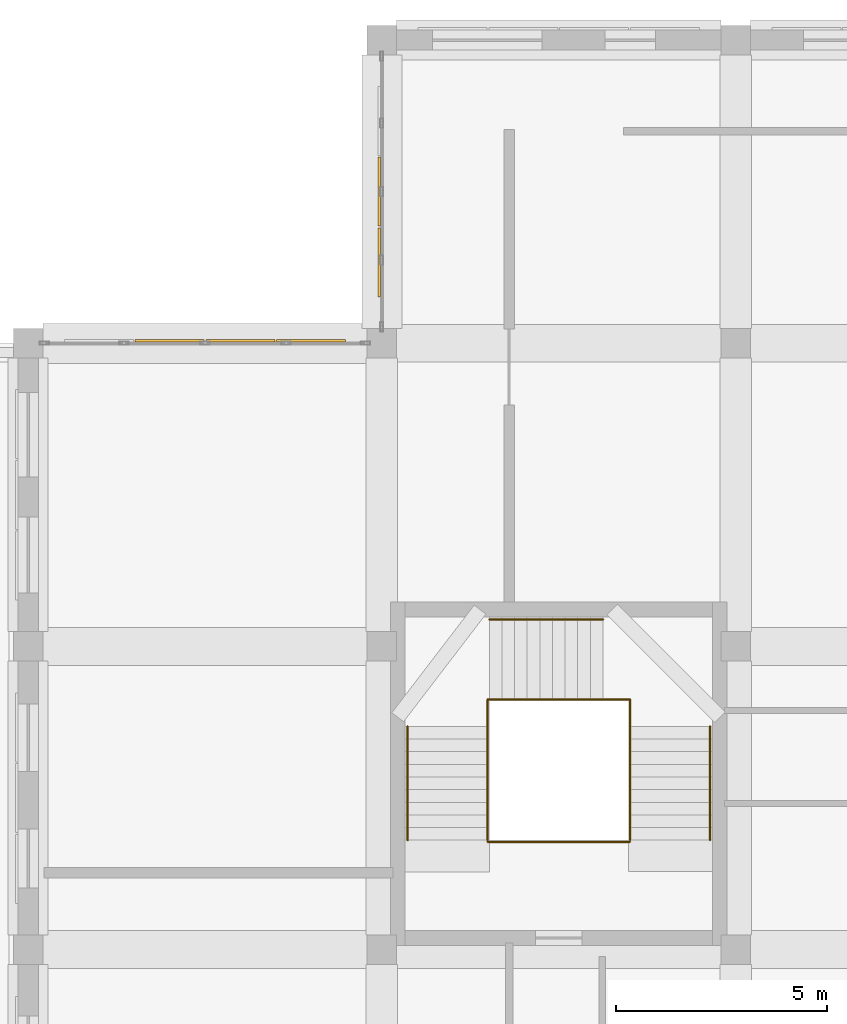
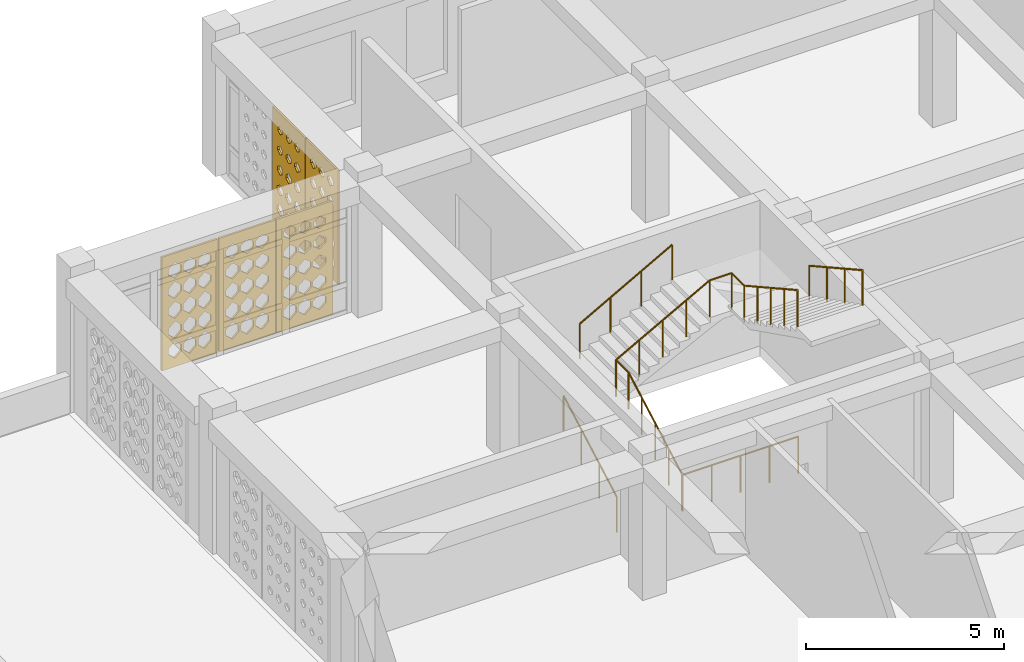
# One storey, part 87 of 100: 7 railings, 5 coverings.
"""IFC4 building model written with IfcOpenShell, lengths in metres."""

import ifcopenshell
import ifcopenshell.guid

model = None  # the IFC model being written
_history = None  # IfcOwnerHistory: only IFC2X3 demands one
_inside = {}  # id of a spatial element -> (the spatial element, [elements in it])
_under = {}  # id of a project, library or spatial element -> (it, [spatial elements below it])
_declared = {}  # id of a project -> (the project, [libraries it declares])
_typed = {}  # id of a type object -> (the type object, [elements of that type])
_made_of = {}  # id of a material, layer set ... -> (it, [elements and type objects made of it])


def new_model(schema):
    """Start an empty IFC model of exactly this schema.

    Asked for "IFC4X3", IfcOpenShell would pick the latest addendum, in which some entities
    have other attributes; the version numbers below select the first issue.
    IFC2X3 requires an IfcOwnerHistory on every rooted entity: one is made here for all.
    """
    global model, _history
    if schema == "IFC4X3":
        model = ifcopenshell.file(schema_version=(4, 3, 0, 0))
    else:
        model = ifcopenshell.file(schema=schema)
    _inside.clear()
    _under.clear()
    _declared.clear()
    _typed.clear()
    _made_of.clear()
    _history = None
    if model.schema == "IFC2X3":
        org = make("IfcOrganization", Name="unknown")
        user = make(
            "IfcPersonAndOrganization",
            ThePerson=make("IfcPerson", FamilyName="unknown"),
            TheOrganization=org,
        )
        app = make(
            "IfcApplication",
            ApplicationDeveloper=org,
            Version="unknown",
            ApplicationFullName="unknown",
            ApplicationIdentifier="unknown",
        )
        _history = make(
            "IfcOwnerHistory",
            OwningUser=user,
            OwningApplication=app,
            ChangeAction="ADDED",
            CreationDate=0,
        )
    return model


def make(cls, **values):
    """One entity of the class cls with the attributes given. An attribute that is None is left unset."""
    return model.create_entity(
        cls, **{name: value for name, value in values.items() if value is not None}
    )


def rooted(cls, **values):
    """An entity with a GlobalId (a new one), such as an element, a storey or a relation."""
    return make(cls, GlobalId=ifcopenshell.guid.new(), OwnerHistory=_history, **values)


def si_unit(unit_type, name, prefix=None):
    """IfcSIUnit, for example si_unit("LENGTHUNIT", "METRE", prefix="MILLI")."""
    return make("IfcSIUnit", UnitType=unit_type, Prefix=prefix, Name=name)


def derived_unit(unit_type, elements):
    """IfcDerivedUnit: a product of units, each with its exponent."""
    return make(
        "IfcDerivedUnit",
        Elements=[
            make("IfcDerivedUnitElement", Unit=unit, Exponent=power)
            for unit, power in elements
        ],
        UnitType=unit_type,
    )


def assignment(units):
    """IfcUnitAssignment: the units of a project."""
    return None if units is None else make("IfcUnitAssignment", Units=units)


def point(xyz):
    """IfcCartesianPoint."""
    return None if xyz is None else make("IfcCartesianPoint", Coordinates=xyz)


def direction(xyz):
    """IfcDirection."""
    return None if xyz is None else make("IfcDirection", DirectionRatios=xyz)


def frame(location, z_axis=None, x_axis=None):
    """IfcAxis2Placement3D, a coordinate frame: its origin and axes. An axis left out is left unset."""
    return make(
        "IfcAxis2Placement3D",
        Location=point(location),
        Axis=direction(z_axis),
        RefDirection=direction(x_axis),
    )


def frame_2d(location, x_axis=None):
    """IfcAxis2Placement2D, a coordinate frame in the plane: its origin and x axis."""
    return make(
        "IfcAxis2Placement2D", Location=point(location), RefDirection=direction(x_axis)
    )


def origin():
    """The frame at (0, 0, 0) with its axes left unset."""
    return frame((0.0, 0.0, 0.0))


def origin_2d():
    """The frame at (0, 0) in the plane with its x axis left unset."""
    return frame_2d((0.0, 0.0))


def place(relative_to, where):
    """IfcLocalPlacement: puts the frame where relative to a parent placement (None: the world)."""
    return make(
        "IfcLocalPlacement", PlacementRelTo=relative_to, RelativePlacement=where
    )


def context(
    kind, dimensions, precision=None, world=None, true_north=None, identifier=None
):
    """IfcGeometricRepresentationContext, for example the 3D "Model" context."""
    return make(
        "IfcGeometricRepresentationContext",
        ContextIdentifier=identifier,
        ContextType=kind,
        CoordinateSpaceDimension=dimensions,
        Precision=precision,
        WorldCoordinateSystem=world,
        TrueNorth=true_north,
    )


def subcontext(parent, identifier, kind, view, scale=None):
    """IfcGeometricRepresentationSubContext, for example "Body" below "Model"."""
    return make(
        "IfcGeometricRepresentationSubContext",
        ContextIdentifier=identifier,
        ContextType=kind,
        ParentContext=parent,
        TargetScale=scale,
        TargetView=view,
    )


def project(units=None, contexts=None):
    """IfcProject with its units and contexts."""
    return rooted(
        "IfcProject",
        Name="project",
        RepresentationContexts=contexts,
        UnitsInContext=assignment(units),
    )


def spatial(cls, under=None, at=None, **own):
    """A site, building, storey or space (cls), placed at a placement, below another one or the project."""
    s = rooted(cls, ObjectPlacement=at, **own)
    if under is not None:
        _under.setdefault(under.id(), (under, []))[1].append(s)
    return s


def polyline(points):
    """IfcPolyline through the points."""
    return make("IfcPolyline", Points=[point(p) for p in points])


def profile(cls, at=None, kind="AREA", **sizes):
    """A parametric profile (cls). Its sizes go by their IFC names, for example OverallWidth=200.0."""
    return make(cls, ProfileType=kind, Position=at, **sizes)


def circle(**sizes):
    """IfcCircleProfileDef."""
    return profile("IfcCircleProfileDef", **sizes)


def outline(outer, holes=None, kind="AREA"):
    """IfcArbitraryClosedProfileDef: a profile drawn as a closed curve; with holes, ...WithVoids."""
    if holes is None:
        return make("IfcArbitraryClosedProfileDef", ProfileType=kind, OuterCurve=outer)
    return make(
        "IfcArbitraryProfileDefWithVoids",
        ProfileType=kind,
        OuterCurve=outer,
        InnerCurves=holes,
    )


def extrude(swept, where, along, depth):
    """IfcExtrudedAreaSolid: the profile swept, set in the frame where, extruded along a direction by depth."""
    return make(
        "IfcExtrudedAreaSolid",
        SweptArea=swept,
        Position=where,
        ExtrudedDirection=direction(along),
        Depth=depth,
    )


def shape(context_of_items, identifier, shape_type, items):
    """IfcShapeRepresentation: the items that make up one representation, for example the "Body"."""
    return make(
        "IfcShapeRepresentation",
        ContextOfItems=context_of_items,
        RepresentationIdentifier=identifier,
        RepresentationType=shape_type,
        Items=items,
    )


def material(Name=None, Category=None):
    """IfcMaterial."""
    return make("IfcMaterial", Name=Name, Category=Category)


def layer(
    of_material, thickness, ventilated=None, Name=None, Category=None, Priority=None
):
    """IfcMaterialLayer: one layer of a wall or slab, of a material (None: an air gap)."""
    return make(
        "IfcMaterialLayer",
        Material=of_material,
        LayerThickness=thickness,
        IsVentilated=ventilated,
        Name=Name,
        Category=Category,
        Priority=Priority,
    )


def layer_set(layers, Name=None):
    """IfcMaterialLayerSet."""
    return make("IfcMaterialLayerSet", MaterialLayers=layers, LayerSetName=Name)


def made_of(thing, what):
    """Note that an element or type object is made of a material, layer set ...; save() writes the relation."""
    if what is not None:
        _made_of.setdefault(what.id(), (what, []))[1].append(thing)
    return thing


def type_object(cls, material=None, **own):
    """A type object (cls), such as IfcWallType, which elements share."""
    return made_of(rooted(cls, **own), material)


def element(
    cls,
    number,
    at=None,
    inside=None,
    cuts=None,
    type_object=None,
    material=None,
    context=None,
    identifier="Body",
    shape_type=None,
    held_by="IfcProductDefinitionShape",
    body=None,
    shapes=None,
    **own,
):
    """One element of the class cls, such as IfcWall. Its Tag is "e" and its number.

    at: its placement. inside: the storey or other place that contains it. cuts: it is an
    opening in that element (IfcRelVoidsElement). A single representation is given by context,
    identifier, shape_type and body (its items); several are given by shapes. held_by: the class
    of the entity that holds the representations. save() writes the other relations.
    """
    e = rooted(cls, Tag="e%d" % number, ObjectPlacement=at, **own)
    if body is not None:
        shapes = [shape(context, identifier, shape_type, body)]
    if shapes is not None:
        e.Representation = make(held_by, Representations=shapes)
    if inside is not None:
        _inside.setdefault(inside.id(), (inside, []))[1].append(e)
    if cuts is not None:
        rooted(
            "IfcRelVoidsElement", RelatingBuildingElement=cuts, RelatedOpeningElement=e
        )
    if type_object is not None:
        _typed.setdefault(type_object.id(), (type_object, []))[1].append(e)
    return made_of(e, material)


def aggregate(whole, parts):
    """IfcRelAggregates: a whole, such as a stair, and the parts it consists of."""
    return rooted("IfcRelAggregates", RelatingObject=whole, RelatedObjects=parts)


def save(model, path):
    """Write the relations noted so far, then the file.

    IfcRelAggregates (storeys below a building ...), IfcRelContainedInSpatialStructure (elements
    in a storey), IfcRelDefinesByType, IfcRelAssociatesMaterial and IfcRelDeclares: one each for
    every whole, place, type object, material and project.
    """
    for whole, parts in _under.values():
        aggregate(whole, parts)
    for where, things in _inside.values():
        rooted(
            "IfcRelContainedInSpatialStructure",
            RelatedElements=things,
            RelatingStructure=where,
        )
    for kind, things in _typed.values():
        rooted("IfcRelDefinesByType", RelatedObjects=things, RelatingType=kind)
    for what, things in _made_of.values():
        rooted("IfcRelAssociatesMaterial", RelatedObjects=things, RelatingMaterial=what)
    for by, libraries in _declared.values():
        rooted("IfcRelDeclares", RelatingContext=by, RelatedDefinitions=libraries)
    model.write(path)


model = new_model("IFC4")

# Units and contexts
model_context = context("Model", 3, precision=1e-05, world=origin(), true_north=direction((0.0, 1.0)))
body_context = subcontext(model_context, "Body", "Model", "MODEL_VIEW")
ifc_project = project(units=[si_unit("LENGTHUNIT", "METRE"), si_unit("AREAUNIT", "SQUARE_METRE"), si_unit("VOLUMEUNIT", "CUBIC_METRE"), si_unit("PLANEANGLEUNIT", "RADIAN"), si_unit("MASSUNIT", "GRAM", prefix="KILO"), derived_unit("THERMALTRANSMITTANCEUNIT", [(si_unit("POWERUNIT", "WATT"), 1), (si_unit("LENGTHUNIT", "METRE"), -2), (si_unit("THERMODYNAMICTEMPERATUREUNIT", "KELVIN"), -1)])], contexts=[model_context])

# Site, building, storey
site_placement = place(None, origin())
site = spatial("IfcSite", under=ifc_project, at=site_placement, CompositionType="ELEMENT")
building_placement = place(site_placement, origin())
building = spatial("IfcBuilding", under=site, at=building_placement, Name="Veybourne Emporium", CompositionType="ELEMENT")
storey_placement = place(building_placement, frame((0.0, 0.0, 14.39990234375)))
storey = spatial("IfcBuildingStorey", under=building, at=storey_placement, Name="L03", CompositionType="ELEMENT", Elevation=14.39990234375)

# Railings
ifc_material_1 = material(Name="Brushed Stainless Steel", Category="steel")
railing_type_1 = type_object("IfcRailingType", Name="Guard_GR-01", PredefinedType="GUARDRAIL", material=ifc_material_1)
railing_1_placement = place(storey_placement, frame((19.31005859375, 67.39990234375, 0.0)))
element("IfcRailing", 1, at=railing_1_placement, inside=storey, type_object=railing_type_1, Name="L03 ST-08 stair guard 1", PredefinedType="GUARDRAIL", context=body_context, shape_type="SweptSolid", body=[
    extrude(circle(Radius=0.02392578125, at=origin_2d()), frame((0.0, 0.0, 1.1259765625), z_axis=(0.0, 0.874172188743, 0.48561608749), x_axis=(-1.0, 0.0, 0.0)), (0.0, 0.0, 1.0), 3.0888671875),
    extrude(circle(Radius=0.02392578125, at=origin_2d()), frame((0.0, 2.7001953125, 2.6259765625), z_axis=(0.0, 1.0, 0.0), x_axis=(-1.0, 0.0, 0.0)), (0.0, 0.0, 1.0), 0.639892578125),
    extrude(circle(Radius=0.02099609375, at=origin_2d()), origin(), (0.0, 0.0, 1.0), 1.101806640625),
    extrude(circle(Radius=0.02099609375, at=origin_2d()), frame((0.0, 0.675048828125, 0.375)), (0.0, 0.0, 1.0), 1.101806640625),
    extrude(circle(Radius=0.02099609375, at=origin_2d()), frame((0.0, 1.35009765625, 0.75)), (0.0, 0.0, 1.0), 1.101806640625),
    extrude(circle(Radius=0.02099609375, at=origin_2d()), frame((0.0, 2.025146484375, 1.125)), (0.0, 0.0, 1.0), 1.101806640625),
    extrude(circle(Radius=0.02099609375, at=origin_2d()), frame((0.0, 2.7001953125, 1.5)), (0.0, 0.0, 1.0), 1.101806640625),
    extrude(circle(Radius=0.02099609375, at=origin_2d()), frame((0.0, 3.340087890625, 1.5)), (0.0, 0.0, 1.0), 1.101806640625),
])
railing_2_placement = place(storey_placement, frame((19.31005859375, 70.739990234375, 1.5)))
element("IfcRailing", 2, at=railing_2_placement, inside=storey, type_object=railing_type_1, Name="L03 ST-08 stair guard 2", PredefinedType="GUARDRAIL", context=body_context, shape_type="SweptSolid", body=[
    extrude(circle(Radius=0.02392578125, at=origin_2d()), frame((0.0, 0.0, 1.1259765625), z_axis=(0.87715976088, 0.0, 0.480198660861), x_axis=(0.0, 1.0, 0.0)), (0.0, 0.0, 1.0), 3.123779296875),
    extrude(circle(Radius=0.02392578125, at=origin_2d()), frame((2.739990234375, 0.0, 2.6259765625), z_axis=(1.0, 0.0, 0.0), x_axis=(0.0, 1.0, 0.0)), (0.0, 0.0, 1.0), 0.639892578125),
    extrude(circle(Radius=0.02099609375, at=origin_2d()), origin(), (0.0, 0.0, 1.0), 1.101806640625),
    extrude(circle(Radius=0.02099609375, at=origin_2d()), frame((0.68505859375, 0.0, 0.375)), (0.0, 0.0, 1.0), 1.101806640625),
    extrude(circle(Radius=0.02099609375, at=origin_2d()), frame((1.3701171875, 0.0, 0.75)), (0.0, 0.0, 1.0), 1.101806640625),
    extrude(circle(Radius=0.02099609375, at=origin_2d()), frame((2.054931640625, 0.0, 1.125)), (0.0, 0.0, 1.0), 1.101806640625),
    extrude(circle(Radius=0.02099609375, at=origin_2d()), frame((2.739990234375, 0.0, 1.5)), (0.0, 0.0, 1.0), 1.101806640625),
    extrude(circle(Radius=0.02099609375, at=origin_2d()), frame((3.3798828125, 0.0, 1.5)), (0.0, 0.0, 1.0), 1.101806640625),
])
railing_3_placement = place(storey_placement, frame((22.68994140625, 70.739990234375, 3.0)))
element("IfcRailing", 3, at=railing_3_placement, inside=storey, type_object=railing_type_1, Name="L03 ST-08 stair guard 3", PredefinedType="GUARDRAIL", context=body_context, shape_type="SweptSolid", body=[
    extrude(circle(Radius=0.02392578125, at=origin_2d()), frame((0.0, 0.0, 1.1259765625), z_axis=(0.0, -1.0, 0.0), x_axis=(1.0, 0.0, 0.0)), (0.0, 0.0, 1.0), 0.639892578125),
    extrude(circle(Radius=0.02392578125, at=origin_2d()), frame((0.0, -0.639892578125, 1.1259765625), z_axis=(0.0, -0.874172188743, 0.48561608749), x_axis=(1.0, 0.0, 0.0)), (0.0, 0.0, 1.0), 3.0888671875),
    extrude(circle(Radius=0.02099609375, at=origin_2d()), origin(), (0.0, 0.0, 1.0), 1.101806640625),
    extrude(circle(Radius=0.02099609375, at=origin_2d()), frame((0.0, -0.639892578125, 0.0)), (0.0, 0.0, 1.0), 1.101806640625),
    extrude(circle(Radius=0.02099609375, at=origin_2d()), frame((0.0, -1.31494140625, 0.375)), (0.0, 0.0, 1.0), 1.101806640625),
    extrude(circle(Radius=0.02099609375, at=origin_2d()), frame((0.0, -1.989990234375, 0.75)), (0.0, 0.0, 1.0), 1.101806640625),
    extrude(circle(Radius=0.02099609375, at=origin_2d()), frame((0.0, -2.6650390625, 1.125)), (0.0, 0.0, 1.0), 1.101806640625),
    extrude(circle(Radius=0.02099609375, at=origin_2d()), frame((0.0, -3.340087890625, 1.5)), (0.0, 0.0, 1.0), 1.101806640625),
])
railing_4_placement = place(storey_placement, frame((19.31005859375, 67.360107421875, 0.0)))
element("IfcRailing", 4, at=railing_4_placement, inside=storey, type_object=railing_type_1, Name="L03 ST-08 stair guard 4", PredefinedType="GUARDRAIL", context=body_context, shape_type="SweptSolid", body=[
    extrude(circle(Radius=0.02392578125, at=origin_2d()), frame((0.0, 0.0, 1.1259765625), z_axis=(1.0, 0.0, 0.0), x_axis=(0.0, 1.0, 0.0)), (0.0, 0.0, 1.0), 3.3798828125),
    extrude(circle(Radius=0.02099609375, at=origin_2d()), origin(), (0.0, 0.0, 1.0), 1.101806640625),
    extrude(circle(Radius=0.02099609375, at=origin_2d()), frame((0.844970703125, 0.0, 0.0)), (0.0, 0.0, 1.0), 1.101806640625),
    extrude(circle(Radius=0.02099609375, at=origin_2d()), frame((1.68994140625, 0.0, 0.0)), (0.0, 0.0, 1.0), 1.101806640625),
    extrude(circle(Radius=0.02099609375, at=origin_2d()), frame((2.534912109375, 0.0, 0.0)), (0.0, 0.0, 1.0), 1.101806640625),
    extrude(circle(Radius=0.02099609375, at=origin_2d()), frame((3.3798828125, 0.0, 0.0)), (0.0, 0.0, 1.0), 1.101806640625),
])
railing_type_2 = type_object("IfcRailingType", Name="Handrail_HR-01", PredefinedType="HANDRAIL", material=ifc_material_1)
railing_5_placement = place(storey_placement, frame((17.409912109375, 67.39990234375, 0.150146484375)))
element("IfcRailing", 5, at=railing_5_placement, inside=storey, type_object=railing_type_2, Name="L03 ST-08 pitch handrail 1", PredefinedType="HANDRAIL", context=body_context, shape_type="SweptSolid", body=[
    extrude(circle(Radius=0.02392578125, at=origin_2d()), frame((0.0, 0.0, 0.92578125), z_axis=(0.0, 0.874172188743, 0.48561608749), x_axis=(-1.0, 0.0, 0.0)), (0.0, 0.0, 1.0), 3.0888671875),
    extrude(circle(Radius=0.02099609375, at=origin_2d()), frame((0.0, 0.0, -0.14990234375)), (0.0, 0.0, 1.0), 1.0517578125),
    extrude(circle(Radius=0.02099609375, at=origin_2d()), frame((0.0, 0.900146484375, 0.35009765625)), (0.0, 0.0, 1.0), 1.0517578125),
    extrude(circle(Radius=0.02099609375, at=origin_2d()), frame((0.0, 1.800048828125, 0.85009765625)), (0.0, 0.0, 1.0), 1.0517578125),
    extrude(circle(Radius=0.02099609375, at=origin_2d()), frame((0.0, 2.7001953125, 1.35009765625)), (0.0, 0.0, 1.0), 1.0517578125),
])
railing_6_placement = place(storey_placement, frame((19.35009765625, 72.639892578125, 1.650146484375)))
element("IfcRailing", 6, at=railing_6_placement, inside=storey, type_object=railing_type_2, Name="L03 ST-08 pitch handrail 2", PredefinedType="HANDRAIL", context=body_context, shape_type="SweptSolid", body=[
    extrude(circle(Radius=0.02392578125, at=origin_2d()), frame((0.0, 0.0, 0.92578125), z_axis=(0.87415354758, 0.0, 0.485649642493), x_axis=(0.0, 1.0, 0.0)), (0.0, 0.0, 1.0), 3.088623046875),
    extrude(circle(Radius=0.02099609375, at=origin_2d()), frame((0.0, 0.0, -0.14990234375)), (0.0, 0.0, 1.0), 1.0517578125),
    extrude(circle(Radius=0.02099609375, at=origin_2d()), frame((0.89990234375, 0.0, 0.35009765625)), (0.0, 0.0, 1.0), 1.0517578125),
    extrude(circle(Radius=0.02099609375, at=origin_2d()), frame((1.800048828125, 0.0, 0.85009765625)), (0.0, 0.0, 1.0), 1.0517578125),
    extrude(circle(Radius=0.02099609375, at=origin_2d()), frame((2.699951171875, 0.0, 1.35009765625)), (0.0, 0.0, 1.0), 1.0517578125),
])
railing_7_placement = place(storey_placement, frame((24.590087890625, 70.10009765625, 3.150146484375)))
element("IfcRailing", 7, at=railing_7_placement, inside=storey, type_object=railing_type_2, Name="L03 ST-08 pitch handrail 3", PredefinedType="HANDRAIL", context=body_context, shape_type="SweptSolid", body=[
    extrude(circle(Radius=0.02392578125, at=origin_2d()), frame((0.0, 0.0, 0.92578125), z_axis=(0.0, -0.874172188743, 0.48561608749), x_axis=(1.0, 0.0, 0.0)), (0.0, 0.0, 1.0), 3.0888671875),
    extrude(circle(Radius=0.02099609375, at=origin_2d()), frame((0.0, 0.0, -0.14990234375)), (0.0, 0.0, 1.0), 1.0517578125),
    extrude(circle(Radius=0.02099609375, at=origin_2d()), frame((0.0, -0.900146484375, 0.35009765625)), (0.0, 0.0, 1.0), 1.0517578125),
    extrude(circle(Radius=0.02099609375, at=origin_2d()), frame((0.0, -1.800048828125, 0.85009765625)), (0.0, 0.0, 1.0), 1.0517578125),
    extrude(circle(Radius=0.02099609375, at=origin_2d()), frame((0.0, -2.7001953125, 1.35009765625)), (0.0, 0.0, 1.0), 1.0517578125),
])

# Coverings
ifc_material_2 = material(Name="Warm-White Perforated Aluminium Screen Alloy", Category="aluminium")
ifc_layer_1 = layer(ifc_material_2, 0.06005859375)
ifc_layer_set_1 = layer_set([ifc_layer_1], Name="Warm-White Perforated Aluminium Screen Alloy")
covering_type_1 = type_object("IfcCoveringType", Name="WaveScreen_SCR-02", PredefinedType="CLADDING", material=ifc_layer_set_1)
covering_1_placement = place(storey_placement, frame((11.760009765625, 79.2939453125, 1.815185546875), z_axis=(0.0, -1.0, 0.0), x_axis=(1.0, 0.0, 0.0)))
element("IfcCovering", 8, at=covering_1_placement, inside=storey, type_object=covering_type_1, Name="L03 wave-perforated aluminium screen SCR-02 (12C.2)", PredefinedType="CLADDING", context=body_context, shape_type="SweptSolid", body=[
    extrude(outline(polyline([(-0.81982421875, -1.7548828125), (0.81982421875, -1.7548828125), (0.81982421875, 1.7548828125), (-0.81982421875, 1.7548828125), (-0.81982421875, -1.7548828125)]), holes=[polyline([(-0.433349609375, -0.964111328125), (-0.2470703125, -1.133056640625), (-0.2470703125, -1.322998046875), (-0.433349609375, -1.491943359375), (-0.61962890625, -1.322998046875), (-0.61962890625, -1.133056640625), (-0.433349609375, -0.964111328125)]), polyline([(-0.433349609375, -0.35009765625), (-0.2470703125, -0.51904296875), (-0.2470703125, -0.708984375), (-0.433349609375, -0.8779296875), (-0.61962890625, -0.708984375), (-0.61962890625, -0.51904296875), (-0.433349609375, -0.35009765625)]), polyline([(-0.433349609375, 0.263916015625), (-0.2470703125, 0.094970703125), (-0.2470703125, -0.094970703125), (-0.433349609375, -0.263916015625), (-0.61962890625, -0.094970703125), (-0.61962890625, 0.094970703125), (-0.433349609375, 0.263916015625)]), polyline([(-0.433349609375, 0.874755859375), (-0.2470703125, 0.707763671875), (-0.2470703125, 0.520263671875), (-0.433349609375, 0.353271484375), (-0.61962890625, 0.520263671875), (-0.61962890625, 0.707763671875), (-0.433349609375, 0.874755859375)]), polyline([(-0.433349609375, 1.479736328125), (-0.2470703125, 1.318603515625), (-0.2470703125, 1.137451171875), (-0.433349609375, 0.976318359375), (-0.61962890625, 1.137451171875), (-0.61962890625, 1.318603515625), (-0.433349609375, 1.479736328125)]), polyline([(0.0, -0.964111328125), (0.186279296875, -1.133056640625), (0.186279296875, -1.322998046875), (0.0, -1.491943359375), (-0.186279296875, -1.322998046875), (-0.186279296875, -1.133056640625), (0.0, -0.964111328125)]), polyline([(0.0, -0.35009765625), (0.186279296875, -0.51904296875), (0.186279296875, -0.708984375), (0.0, -0.8779296875), (-0.186279296875, -0.708984375), (-0.186279296875, -0.51904296875), (0.0, -0.35009765625)]), polyline([(0.0, 0.263916015625), (0.186279296875, 0.094970703125), (0.186279296875, -0.094970703125), (0.0, -0.263916015625), (-0.186279296875, -0.094970703125), (-0.186279296875, 0.094970703125), (0.0, 0.263916015625)]), polyline([(0.0, 0.870849609375), (0.186279296875, 0.70654296875), (0.186279296875, 0.521484375), (0.0, 0.357177734375), (-0.186279296875, 0.521484375), (-0.186279296875, 0.70654296875), (0.0, 0.870849609375)]), polyline([(0.0, 1.47509765625), (0.186279296875, 1.31689453125), (0.186279296875, 1.13916015625), (0.0, 0.98095703125), (-0.186279296875, 1.13916015625), (-0.186279296875, 1.31689453125), (0.0, 1.47509765625)]), polyline([(0.433349609375, -0.964111328125), (0.61962890625, -1.133056640625), (0.61962890625, -1.322998046875), (0.433349609375, -1.491943359375), (0.2470703125, -1.322998046875), (0.2470703125, -1.133056640625), (0.433349609375, -0.964111328125)]), polyline([(0.433349609375, -0.35009765625), (0.61962890625, -0.51904296875), (0.61962890625, -0.708984375), (0.433349609375, -0.8779296875), (0.2470703125, -0.708984375), (0.2470703125, -0.51904296875), (0.433349609375, -0.35009765625)]), polyline([(0.433349609375, 0.261474609375), (0.61962890625, 0.093994140625), (0.61962890625, -0.093994140625), (0.433349609375, -0.261474609375), (0.2470703125, -0.093994140625), (0.2470703125, 0.093994140625), (0.433349609375, 0.261474609375)]), polyline([(0.433349609375, 0.86669921875), (0.61962890625, 0.704833984375), (0.61962890625, 0.523193359375), (0.433349609375, 0.361328125), (0.2470703125, 0.523193359375), (0.2470703125, 0.704833984375), (0.433349609375, 0.86669921875)]), polyline([(0.433349609375, 1.47021484375), (0.61962890625, 1.315185546875), (0.61962890625, 1.140869140625), (0.433349609375, 0.98583984375), (0.2470703125, 1.140869140625), (0.2470703125, 1.315185546875), (0.433349609375, 1.47021484375)])]), origin(), (0.0, 0.0, 1.0), 0.06005859375),
])
ifc_layer_2 = layer(ifc_material_2, 0.06005859375)
ifc_layer_set_2 = layer_set([ifc_layer_2], Name="Warm-White Perforated Aluminium Screen Alloy")
covering_type_2 = type_object("IfcCoveringType", Name="WaveScreen_SCR-03", PredefinedType="CLADDING", material=ifc_layer_set_2)
covering_2_placement = place(storey_placement, frame((13.43994140625, 79.2939453125, 1.815185546875), z_axis=(0.0, -1.0, 0.0), x_axis=(1.0, 0.0, 0.0)))
element("IfcCovering", 9, at=covering_2_placement, inside=storey, type_object=covering_type_2, Name="L03 wave-perforated aluminium screen SCR-03 (12C.3)", PredefinedType="CLADDING", context=body_context, shape_type="SweptSolid", body=[
    extrude(outline(polyline([(-0.81982421875, -1.7548828125), (0.81982421875, -1.7548828125), (0.81982421875, 1.7548828125), (-0.81982421875, 1.7548828125), (-0.81982421875, -1.7548828125)]), holes=[polyline([(-0.433349609375, -0.964111328125), (-0.2470703125, -1.133056640625), (-0.2470703125, -1.322998046875), (-0.433349609375, -1.491943359375), (-0.61962890625, -1.322998046875), (-0.61962890625, -1.133056640625), (-0.433349609375, -0.964111328125)]), polyline([(-0.433349609375, -0.3515625), (-0.2470703125, -0.51953125), (-0.2470703125, -0.70849609375), (-0.433349609375, -0.87646484375), (-0.61962890625, -0.70849609375), (-0.61962890625, -0.51953125), (-0.433349609375, -0.3515625)]), polyline([(-0.433349609375, 0.254150390625), (-0.2470703125, 0.091552734375), (-0.2470703125, -0.091552734375), (-0.433349609375, -0.254150390625), (-0.61962890625, -0.091552734375), (-0.61962890625, 0.091552734375), (-0.433349609375, 0.254150390625)]), polyline([(-0.433349609375, 0.85791015625), (-0.2470703125, 0.701904296875), (-0.2470703125, 0.526123046875), (-0.433349609375, 0.3701171875), (-0.61962890625, 0.526123046875), (-0.61962890625, 0.701904296875), (-0.433349609375, 0.85791015625)]), polyline([(-0.433349609375, 1.4599609375), (-0.2470703125, 1.3115234375), (-0.2470703125, 1.14453125), (-0.433349609375, 0.99609375), (-0.61962890625, 1.14453125), (-0.61962890625, 1.3115234375), (-0.433349609375, 1.4599609375)]), polyline([(0.0, -0.964111328125), (0.186279296875, -1.133056640625), (0.186279296875, -1.322998046875), (0.0, -1.491943359375), (-0.186279296875, -1.322998046875), (-0.186279296875, -1.133056640625), (0.0, -0.964111328125)]), polyline([(0.0, -0.35498046875), (0.186279296875, -0.520751953125), (0.186279296875, -0.707275390625), (0.0, -0.872802734375), (-0.186279296875, -0.707275390625), (-0.186279296875, -0.520751953125), (0.0, -0.35498046875)]), polyline([(0.0, 0.24951171875), (0.186279296875, 0.08984375), (0.186279296875, -0.08984375), (0.0, -0.24951171875), (-0.186279296875, -0.08984375), (-0.186279296875, 0.08984375), (0.0, 0.24951171875)]), polyline([(0.0, 0.8525390625), (0.186279296875, 0.699951171875), (0.186279296875, 0.528076171875), (0.0, 0.37548828125), (-0.186279296875, 0.528076171875), (-0.186279296875, 0.699951171875), (0.0, 0.8525390625)]), polyline([(0.0, 1.4541015625), (0.186279296875, 1.309326171875), (0.186279296875, 1.146484375), (0.0, 1.001708984375), (-0.186279296875, 1.146484375), (-0.186279296875, 1.309326171875), (0.0, 1.4541015625)]), polyline([(0.433349609375, -0.96484375), (0.61962890625, -1.13330078125), (0.61962890625, -1.32275390625), (0.433349609375, -1.4912109375), (0.2470703125, -1.32275390625), (0.2470703125, -1.13330078125), (0.433349609375, -0.96484375)]), polyline([(0.433349609375, -0.359130859375), (0.61962890625, -0.522216796875), (0.61962890625, -0.705810546875), (0.433349609375, -0.868896484375), (0.2470703125, -0.705810546875), (0.2470703125, -0.522216796875), (0.433349609375, -0.359130859375)]), polyline([(0.433349609375, 0.244873046875), (0.61962890625, 0.088134765625), (0.61962890625, -0.088134765625), (0.433349609375, -0.244873046875), (0.2470703125, -0.088134765625), (0.2470703125, 0.088134765625), (0.433349609375, 0.244873046875)]), polyline([(0.433349609375, 0.84716796875), (0.61962890625, 0.697998046875), (0.61962890625, 0.530029296875), (0.433349609375, 0.380859375), (0.2470703125, 0.530029296875), (0.2470703125, 0.697998046875), (0.433349609375, 0.84716796875)]), polyline([(0.433349609375, 1.4482421875), (0.61962890625, 1.307373046875), (0.61962890625, 1.148681640625), (0.433349609375, 1.0078125), (0.2470703125, 1.148681640625), (0.2470703125, 1.307373046875), (0.433349609375, 1.4482421875)])]), origin(), (0.0, 0.0, 1.0), 0.06005859375),
])
covering_3_placement = place(storey_placement, frame((16.70703125, 81.1201171875, 1.815185546875), z_axis=(1.0, 0.0, 0.0), x_axis=(0.0, 1.0, 0.0)))
element("IfcCovering", 10, at=covering_3_placement, inside=storey, type_object=covering_type_2, Name="L03 wave-perforated aluminium screen SCR-03 (18C.1)", PredefinedType="CLADDING", context=body_context, shape_type="SweptSolid", body=[
    extrude(outline(polyline([(-0.81982421875, -1.7548828125), (0.81982421875, -1.7548828125), (0.81982421875, 1.7548828125), (-0.81982421875, 1.7548828125), (-0.81982421875, -1.7548828125)]), holes=[polyline([(-0.433349609375, -1.014404296875), (-0.24853515625, -1.151123046875), (-0.24853515625, -1.304931640625), (-0.433349609375, -1.441650390625), (-0.6181640625, -1.304931640625), (-0.6181640625, -1.151123046875), (-0.433349609375, -1.014404296875)]), polyline([(-0.433349609375, -0.414306640625), (-0.260009765625, -0.5419921875), (-0.260009765625, -0.685791015625), (-0.433349609375, -0.813720703125), (-0.606689453125, -0.685791015625), (-0.606689453125, -0.5419921875), (-0.433349609375, -0.414306640625)]), polyline([(-0.433349609375, 0.185546875), (-0.271484375, 0.06689453125), (-0.271484375, -0.06689453125), (-0.433349609375, -0.185546875), (-0.59521484375, -0.06689453125), (-0.59521484375, 0.06689453125), (-0.433349609375, 0.185546875)]), polyline([(-0.433349609375, 0.785400390625), (-0.282958984375, 0.67578125), (-0.282958984375, 0.55224609375), (-0.433349609375, 0.4423828125), (-0.583740234375, 0.55224609375), (-0.583740234375, 0.67578125), (-0.433349609375, 0.785400390625)]), polyline([(-0.433349609375, 1.38623046875), (-0.2939453125, 1.284912109375), (-0.2939453125, 1.171142578125), (-0.433349609375, 1.06982421875), (-0.57275390625, 1.171142578125), (-0.57275390625, 1.284912109375), (-0.433349609375, 1.38623046875)]), polyline([(0.0, -1.020751953125), (0.1796875, -1.1533203125), (0.1796875, -1.302490234375), (0.0, -1.435302734375), (-0.1796875, -1.302490234375), (-0.1796875, -1.1533203125), (0.0, -1.020751953125)]), polyline([(0.0, -0.4208984375), (0.168212890625, -0.54443359375), (0.168212890625, -0.68359375), (0.0, -0.80712890625), (-0.168212890625, -0.68359375), (-0.168212890625, -0.54443359375), (0.0, -0.4208984375)]), polyline([(0.0, 0.17919921875), (0.156494140625, 0.064453125), (0.156494140625, -0.064453125), (0.0, -0.17919921875), (-0.156494140625, -0.064453125), (-0.156494140625, 0.064453125), (0.0, 0.17919921875)]), polyline([(0.0, 0.779296875), (0.145263671875, 0.673583984375), (0.145263671875, 0.554443359375), (0.0, 0.448486328125), (-0.145263671875, 0.554443359375), (-0.145263671875, 0.673583984375), (0.0, 0.779296875)]), polyline([(0.0, 1.38037109375), (0.134765625, 1.282958984375), (0.134765625, 1.173095703125), (0.0, 1.07568359375), (-0.134765625, 1.173095703125), (-0.134765625, 1.282958984375), (0.0, 1.38037109375)]), polyline([(0.433349609375, -1.027099609375), (0.607666015625, -1.15576171875), (0.607666015625, -1.30029296875), (0.433349609375, -1.428955078125), (0.2587890625, -1.30029296875), (0.2587890625, -1.15576171875), (0.433349609375, -1.027099609375)]), polyline([(0.433349609375, -0.42724609375), (0.59619140625, -0.546875), (0.59619140625, -0.68115234375), (0.433349609375, -0.80078125), (0.2705078125, -0.68115234375), (0.2705078125, -0.546875), (0.433349609375, -0.42724609375)]), polyline([(0.433349609375, 0.1728515625), (0.584716796875, 0.062255859375), (0.584716796875, -0.062255859375), (0.433349609375, -0.1728515625), (0.281982421875, -0.062255859375), (0.281982421875, 0.062255859375), (0.433349609375, 0.1728515625)]), polyline([(0.433349609375, 0.7734375), (0.57373046875, 0.67138671875), (0.57373046875, 0.556640625), (0.433349609375, 0.45458984375), (0.29296875, 0.556640625), (0.29296875, 0.67138671875), (0.433349609375, 0.7734375)]), polyline([(0.433349609375, 1.375), (0.563720703125, 1.281005859375), (0.563720703125, 1.175048828125), (0.433349609375, 1.0810546875), (0.302978515625, 1.175048828125), (0.302978515625, 1.281005859375), (0.433349609375, 1.375)])]), origin(), (0.0, 0.0, 1.0), 0.06005859375),
])
ifc_layer_3 = layer(ifc_material_2, 0.06005859375)
ifc_layer_set_3 = layer_set([ifc_layer_3], Name="Warm-White Perforated Aluminium Screen Alloy")
covering_type_3 = type_object("IfcCoveringType", Name="WaveScreen_SCR-04", PredefinedType="CLADDING", material=ifc_layer_set_3)
covering_4_placement = place(storey_placement, frame((15.1201171875, 79.2939453125, 1.815185546875), z_axis=(0.0, -1.0, 0.0), x_axis=(1.0, 0.0, 0.0)))
element("IfcCovering", 11, at=covering_4_placement, inside=storey, type_object=covering_type_3, Name="L03 wave-perforated aluminium screen SCR-04 (12C.4)", PredefinedType="CLADDING", context=body_context, shape_type="SweptSolid", body=[
    extrude(outline(polyline([(-0.81982421875, -1.7548828125), (0.81982421875, -1.7548828125), (0.81982421875, 1.7548828125), (-0.81982421875, 1.7548828125), (-0.81982421875, -1.7548828125)]), holes=[polyline([(-0.433349609375, -0.9716796875), (-0.2470703125, -1.1357421875), (-0.2470703125, -1.3203125), (-0.433349609375, -1.484375), (-0.61962890625, -1.3203125), (-0.61962890625, -1.1357421875), (-0.433349609375, -0.9716796875)]), polyline([(-0.433349609375, -0.36767578125), (-0.2470703125, -0.525390625), (-0.2470703125, -0.70263671875), (-0.433349609375, -0.8603515625), (-0.61962890625, -0.70263671875), (-0.61962890625, -0.525390625), (-0.433349609375, -0.36767578125)]), polyline([(-0.433349609375, 0.23486328125), (-0.2470703125, 0.084716796875), (-0.2470703125, -0.084716796875), (-0.433349609375, -0.23486328125), (-0.61962890625, -0.084716796875), (-0.61962890625, 0.084716796875), (-0.433349609375, 0.23486328125)]), polyline([(-0.433349609375, 0.836181640625), (-0.2470703125, 0.694091796875), (-0.2470703125, 0.533935546875), (-0.433349609375, 0.391845703125), (-0.61962890625, 0.533935546875), (-0.61962890625, 0.694091796875), (-0.433349609375, 0.836181640625)]), polyline([(-0.433349609375, 1.4365234375), (-0.252685546875, 1.302978515625), (-0.252685546875, 1.15283203125), (-0.433349609375, 1.019287109375), (-0.614013671875, 1.15283203125), (-0.614013671875, 1.302978515625), (-0.433349609375, 1.4365234375)]), polyline([(0.0, -0.97607421875), (0.186279296875, -1.13720703125), (0.186279296875, -1.318603515625), (0.0, -1.47998046875), (-0.186279296875, -1.318603515625), (-0.186279296875, -1.13720703125), (0.0, -0.97607421875)]), polyline([(0.0, -0.37255859375), (0.186279296875, -0.527099609375), (0.186279296875, -0.700927734375), (0.0, -0.85546875), (-0.186279296875, -0.700927734375), (-0.186279296875, -0.527099609375), (0.0, -0.37255859375)]), polyline([(0.0, 0.229248046875), (0.186279296875, 0.08251953125), (0.186279296875, -0.08251953125), (0.0, -0.229248046875), (-0.186279296875, -0.08251953125), (-0.186279296875, 0.08251953125), (0.0, 0.229248046875)]), polyline([(0.0, 0.830078125), (0.186279296875, 0.69189453125), (0.186279296875, 0.5361328125), (0.0, 0.39794921875), (-0.186279296875, 0.5361328125), (-0.186279296875, 0.69189453125), (0.0, 0.830078125)]), polyline([(0.0, 1.43017578125), (0.17529296875, 1.30078125), (0.17529296875, 1.1552734375), (0.0, 1.02587890625), (-0.17529296875, 1.1552734375), (-0.17529296875, 1.30078125), (0.0, 1.43017578125)]), polyline([(0.433349609375, -0.980712890625), (0.61962890625, -1.138916015625), (0.61962890625, -1.317138671875), (0.433349609375, -1.475341796875), (0.2470703125, -1.317138671875), (0.2470703125, -1.138916015625), (0.433349609375, -0.980712890625)]), polyline([(0.433349609375, -0.3779296875), (0.61962890625, -0.529052734375), (0.61962890625, -0.698974609375), (0.433349609375, -0.85009765625), (0.2470703125, -0.698974609375), (0.2470703125, -0.529052734375), (0.433349609375, -0.3779296875)]), polyline([(0.433349609375, 0.223388671875), (0.61962890625, 0.080322265625), (0.61962890625, -0.080322265625), (0.433349609375, -0.223388671875), (0.2470703125, -0.080322265625), (0.2470703125, 0.080322265625), (0.433349609375, 0.223388671875)]), polyline([(0.433349609375, 0.823974609375), (0.614990234375, 0.689453125), (0.614990234375, 0.53857421875), (0.433349609375, 0.404052734375), (0.251708984375, 0.53857421875), (0.251708984375, 0.689453125), (0.433349609375, 0.823974609375)]), polyline([(0.433349609375, 1.423828125), (0.603515625, 1.298583984375), (0.603515625, 1.157470703125), (0.433349609375, 1.0322265625), (0.26318359375, 1.157470703125), (0.26318359375, 1.298583984375), (0.433349609375, 1.423828125)])]), origin(), (0.0, 0.0, 1.0), 0.06005859375),
])
covering_5_placement = place(storey_placement, frame((16.70703125, 82.800048828125, 1.815185546875), z_axis=(1.0, 0.0, 0.0), x_axis=(0.0, 1.0, 0.0)))
element("IfcCovering", 12, at=covering_5_placement, inside=storey, type_object=covering_type_3, Name="L03 wave-perforated aluminium screen SCR-04 (18C.2)", PredefinedType="CLADDING", context=body_context, shape_type="SweptSolid", body=[
    extrude(outline(polyline([(-0.81982421875, -1.7548828125), (0.81982421875, -1.7548828125), (0.81982421875, 1.7548828125), (-0.81982421875, 1.7548828125), (-0.81982421875, -1.7548828125)]), holes=[polyline([(-0.433349609375, -1.0390625), (-0.268798828125, -1.159912109375), (-0.268798828125, -1.2958984375), (-0.433349609375, -1.4169921875), (-0.597900390625, -1.2958984375), (-0.597900390625, -1.159912109375), (-0.433349609375, -1.0390625)]), polyline([(-0.433349609375, -0.439208984375), (-0.2802734375, -0.551025390625), (-0.2802734375, -0.677001953125), (-0.433349609375, -0.788818359375), (-0.58642578125, -0.677001953125), (-0.58642578125, -0.551025390625), (-0.433349609375, -0.439208984375)]), polyline([(-0.433349609375, 0.161376953125), (-0.29150390625, 0.05810546875), (-0.29150390625, -0.05810546875), (-0.433349609375, -0.161376953125), (-0.5751953125, -0.05810546875), (-0.5751953125, 0.05810546875), (-0.433349609375, 0.161376953125)]), polyline([(-0.433349609375, 0.7626953125), (-0.3017578125, 0.66748046875), (-0.3017578125, 0.560546875), (-0.433349609375, 0.46533203125), (-0.56494140625, 0.560546875), (-0.56494140625, 0.66748046875), (-0.433349609375, 0.7626953125)]), polyline([(-0.433349609375, 1.365478515625), (-0.310791015625, 1.277587890625), (-0.310791015625, 1.178466796875), (-0.433349609375, 1.090576171875), (-0.5556640625, 1.178466796875), (-0.5556640625, 1.277587890625), (-0.433349609375, 1.365478515625)]), polyline([(0.0, -1.04541015625), (0.1591796875, -1.162353515625), (0.1591796875, -1.293701171875), (0.0, -1.410400390625), (-0.1591796875, -1.293701171875), (-0.1591796875, -1.162353515625), (0.0, -1.04541015625)]), polyline([(0.0, -0.4453125), (0.14794921875, -0.55322265625), (0.14794921875, -0.6748046875), (0.0, -0.78271484375), (-0.14794921875, -0.6748046875), (-0.14794921875, -0.55322265625), (0.0, -0.4453125)]), polyline([(0.0, 0.155517578125), (0.13720703125, 0.055908203125), (0.13720703125, -0.055908203125), (0.0, -0.155517578125), (-0.13720703125, -0.055908203125), (-0.13720703125, 0.055908203125), (0.0, 0.155517578125)]), polyline([(0.0, 0.75732421875), (0.127197265625, 0.66552734375), (0.127197265625, 0.5625), (0.0, 0.470703125), (-0.127197265625, 0.5625), (-0.127197265625, 0.66552734375), (0.0, 0.75732421875)]), polyline([(0.0, 1.36083984375), (0.11865234375, 1.27587890625), (0.11865234375, 1.18017578125), (0.0, 1.09521484375), (-0.11865234375, 1.18017578125), (-0.11865234375, 1.27587890625), (0.0, 1.36083984375)]), polyline([(0.433349609375, -1.052001953125), (0.58740234375, -1.16455078125), (0.58740234375, -1.29150390625), (0.433349609375, -1.404052734375), (0.279296875, -1.29150390625), (0.279296875, -1.16455078125), (0.433349609375, -1.052001953125)]), polyline([(0.433349609375, -0.451416015625), (0.576416015625, -0.555419921875), (0.576416015625, -0.672607421875), (0.433349609375, -0.776611328125), (0.290283203125, -0.672607421875), (0.290283203125, -0.555419921875), (0.433349609375, -0.451416015625)]), polyline([(0.433349609375, 0.14990234375), (0.56591796875, 0.053955078125), (0.56591796875, -0.053955078125), (0.433349609375, -0.14990234375), (0.30078125, -0.053955078125), (0.30078125, 0.053955078125), (0.433349609375, 0.14990234375)]), polyline([(0.433349609375, 0.75244140625), (0.556396484375, 0.663818359375), (0.556396484375, 0.564208984375), (0.433349609375, 0.4755859375), (0.31005859375, 0.564208984375), (0.31005859375, 0.663818359375), (0.433349609375, 0.75244140625)]), polyline([(0.433349609375, 1.3564453125), (0.548583984375, 1.2744140625), (0.548583984375, 1.181640625), (0.433349609375, 1.099609375), (0.318115234375, 1.181640625), (0.318115234375, 1.2744140625), (0.433349609375, 1.3564453125)])]), origin(), (0.0, 0.0, 1.0), 0.06005859375),
])

save(model, "model.ifc")
